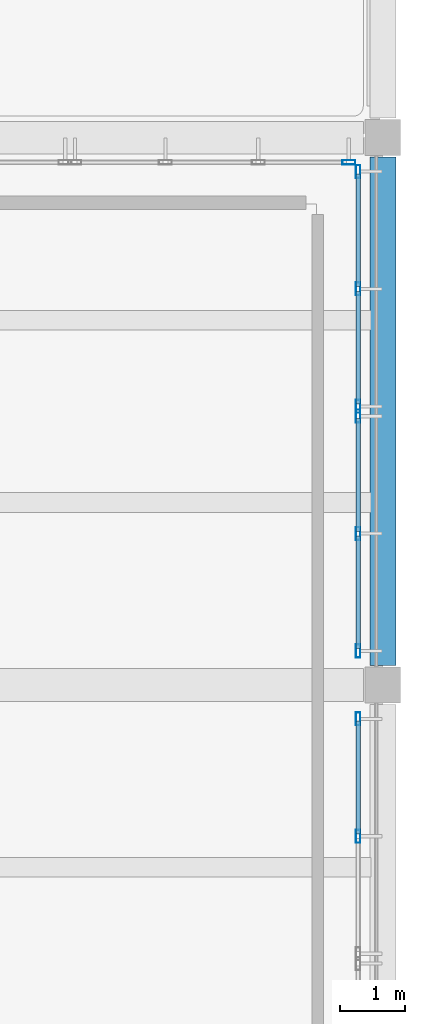
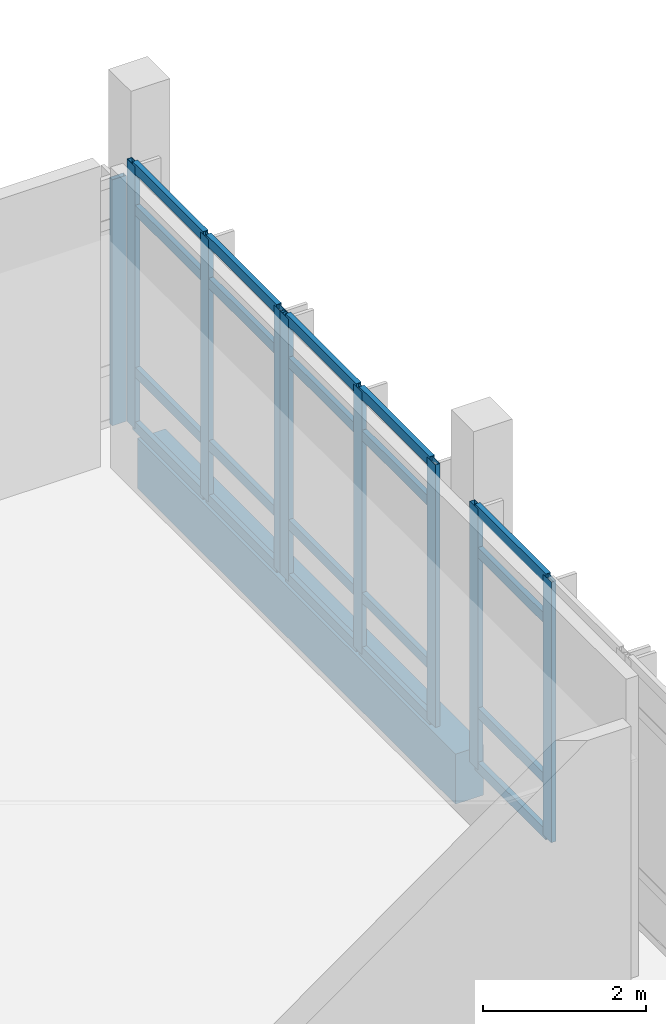
# One storey, part 30 of 63: 29 members, 1 beam, 4 elements without a shape of their own.
"""IFC4 building model written with IfcOpenShell, lengths in metres."""

from ifc_helpers import new_model, si_unit, derived_unit, direction, frame, origin, origin_2d, place, context, subcontext, project, spatial, rectangle, hollow_rectangle, extrude, material, layer, layer_set, material_profile, profile_set, type_object, element, aggregate, save


model = new_model("IFC4")

# Units and contexts
model_context = context("Model", 3, precision=1e-05, world=origin(), true_north=direction((0.0, 1.0)))
body_context = subcontext(model_context, "Body", "Model", "MODEL_VIEW")
ifc_project = project(units=[si_unit("LENGTHUNIT", "METRE"), si_unit("AREAUNIT", "SQUARE_METRE"), si_unit("VOLUMEUNIT", "CUBIC_METRE"), si_unit("PLANEANGLEUNIT", "RADIAN"), si_unit("MASSUNIT", "GRAM", prefix="KILO"), derived_unit("THERMALTRANSMITTANCEUNIT", [(si_unit("POWERUNIT", "WATT"), 1), (si_unit("LENGTHUNIT", "METRE"), -2), (si_unit("THERMODYNAMICTEMPERATUREUNIT", "KELVIN"), -1)])], contexts=[model_context])

# Site, building, storey
site_placement = place(None, origin())
site = spatial("IfcSite", under=ifc_project, at=site_placement, CompositionType="ELEMENT")
building_placement = place(site_placement, origin())
building = spatial("IfcBuilding", under=site, at=building_placement, Name="Elbkamm Science Centre", CompositionType="ELEMENT")
storey_placement = place(building_placement, frame((0.0, 0.0, 5.10009765625)))
storey = spatial("IfcBuildingStorey", under=building, at=storey_placement, Name="L01", CompositionType="ELEMENT", Elevation=5.10009765625)

# Beam
ifc_material_1 = material(Name="Concrete C40/50", Category="concrete")
ifc_material_profile_1 = material_profile(ifc_material_1, rectangle(XDim=0.39990234375, YDim=0.75, at=origin_2d()), Name="RC 400x750")
ifc_profile_set_1 = profile_set([ifc_material_profile_1], Name="Concrete C40/50")
beam_type = type_object("IfcBeamType", Name="BM-RC-400x750", PredefinedType="BEAM", material=ifc_profile_set_1)
beam_placement = place(storey_placement, frame((160.800048828125, 67.5, -0.775146484375), z_axis=(0.0, 1.0, 0.0), x_axis=(-1.0, 0.0, 0.0)))
element("IfcBeam", 1, at=beam_placement, inside=storey, type_object=beam_type, Name="L01 Primary Y-Girder 078", PredefinedType="BEAM", context=body_context, shape_type="SweptSolid", body=[
    extrude(rectangle(XDim=0.39990234375, YDim=0.75, at=origin_2d()), origin(), (0.0, 0.0, 1.0), 7.800048828125),
])

# Curtain wall, member
ifc_material_2 = material(Name="Powder-coated aluminium and triple low-E glazing", Category="aluminium")
ifc_layer_1 = layer(ifc_material_2, 0.159912109375)
ifc_layer_set_1 = layer_set([ifc_layer_1], Name="Powder-coated aluminium and triple low-E glazing")
curtain_wall_type_1 = type_object("IfcCurtainWallType", Name="CW-UNIT-4280x3680", PredefinedType="USERDEFINED", material=ifc_layer_set_1)
curtain_wall_1_placement = place(storey_placement, origin())
curtain_wall_1 = element("IfcCurtainWall", 2, at=curtain_wall_1_placement, inside=storey, type_object=curtain_wall_type_1, Name="L01 Unitised Curtain Wall 164", ObjectType="UNITISED CURTAIN WALL", PredefinedType="USERDEFINED")
ifc_material_3 = material(Name="Powder-coated aluminium EN AW-6060", Category="aluminium")
ifc_material_profile_2 = material_profile(ifc_material_3, hollow_rectangle(XDim=0.070068359375, YDim=0.199951171875, WallThickness=0.00439453125, at=origin_2d()), Name="ALU M70x200")
ifc_profile_set_2 = profile_set([ifc_material_profile_2], Name="Powder-coated aluminium EN AW-6060")
member_type_1 = type_object("IfcMemberType", Name="CW-MUL-70x200", PredefinedType="MULLION", material=ifc_profile_set_2)
member_1_placement = place(storey_placement, frame((160.27880859375, 75.219970703125, 0.0), z_axis=(0.0, 0.0, 1.0), x_axis=(0.0, 1.0, 0.0)))
member_1 = element("IfcMember", 3, at=member_1_placement, type_object=member_type_1, Name="CW-076 mullion 4", PredefinedType="MULLION", context=body_context, shape_type="SweptSolid", body=[
    extrude(hollow_rectangle(XDim=0.070068359375, YDim=0.199951171875, WallThickness=0.00439453125, at=origin_2d()), origin(), (0.0, 0.0, 1.0), 3.679931640625),
])
aggregate(curtain_wall_1, [member_1])

# Curtain wall, members
ifc_layer_2 = layer(ifc_material_2, 0.159912109375)
ifc_layer_set_2 = layer_set([ifc_layer_2], Name="Powder-coated aluminium and triple low-E glazing")
curtain_wall_type_2 = type_object("IfcCurtainWallType", Name="CW-UNIT-3680x3920", PredefinedType="USERDEFINED", material=ifc_layer_set_2)
curtain_wall_2_placement = place(storey_placement, origin())
curtain_wall_2 = element("IfcCurtainWall", 4, at=curtain_wall_2_placement, inside=storey, type_object=curtain_wall_type_2, Name="L01 Unitised Curtain Wall 165", ObjectType="UNITISED CURTAIN WALL", PredefinedType="USERDEFINED")
member_2_placement = place(storey_placement, frame((160.419921875, 75.07861328125, 0.0), z_axis=(0.0, 0.0, 1.0), x_axis=(1.0, 0.0, 0.0)))
member_2 = element("IfcMember", 5, at=member_2_placement, type_object=member_type_1, Name="CW-077 mullion 1", PredefinedType="MULLION", context=body_context, shape_type="SweptSolid", body=[
    extrude(hollow_rectangle(XDim=0.070068359375, YDim=0.199951171875, WallThickness=0.00439453125, at=origin_2d()), origin(), (0.0, 0.0, 1.0), 3.929931640625),
])
member_3_placement = place(storey_placement, frame((160.419921875, 73.27685546875, 0.0), z_axis=(0.0, 0.0, 1.0), x_axis=(1.0, 0.0, 0.0)))
member_3 = element("IfcMember", 6, at=member_3_placement, type_object=member_type_1, Name="CW-077 mullion 2", PredefinedType="MULLION", context=body_context, shape_type="SweptSolid", body=[
    extrude(hollow_rectangle(XDim=0.070068359375, YDim=0.199951171875, WallThickness=0.00439453125, at=origin_2d()), origin(), (0.0, 0.0, 1.0), 3.929931640625),
])
member_4_placement = place(storey_placement, frame((160.419921875, 71.47509765625, 0.0), z_axis=(0.0, 0.0, 1.0), x_axis=(1.0, 0.0, 0.0)))
member_4 = element("IfcMember", 7, at=member_4_placement, type_object=member_type_1, Name="CW-077 mullion 3", PredefinedType="MULLION", context=body_context, shape_type="SweptSolid", body=[
    extrude(hollow_rectangle(XDim=0.070068359375, YDim=0.199951171875, WallThickness=0.00439453125, at=origin_2d()), origin(), (0.0, 0.0, 1.0), 3.929931640625),
])

curtain_wall_3_placement = place(storey_placement, origin())
curtain_wall_3 = element("IfcCurtainWall", 8, at=curtain_wall_3_placement, inside=storey, type_object=curtain_wall_type_2, Name="L01 Unitised Curtain Wall 166", ObjectType="UNITISED CURTAIN WALL", PredefinedType="USERDEFINED")
member_5_placement = place(storey_placement, frame((160.419921875, 71.324951171875, 0.0), z_axis=(0.0, 0.0, 1.0), x_axis=(1.0, 0.0, 0.0)))
member_5 = element("IfcMember", 9, at=member_5_placement, type_object=member_type_1, Name="CW-077 mullion 1", PredefinedType="MULLION", context=body_context, shape_type="SweptSolid", body=[
    extrude(hollow_rectangle(XDim=0.070068359375, YDim=0.199951171875, WallThickness=0.00439453125, at=origin_2d()), origin(), (0.0, 0.0, 1.0), 3.929931640625),
])
member_6_placement = place(storey_placement, frame((160.419921875, 69.523193359375, 0.0), z_axis=(0.0, 0.0, 1.0), x_axis=(1.0, 0.0, 0.0)))
member_6 = element("IfcMember", 10, at=member_6_placement, type_object=member_type_1, Name="CW-077 mullion 2", PredefinedType="MULLION", context=body_context, shape_type="SweptSolid", body=[
    extrude(hollow_rectangle(XDim=0.070068359375, YDim=0.199951171875, WallThickness=0.00439453125, at=origin_2d()), origin(), (0.0, 0.0, 1.0), 3.929931640625),
])
member_7_placement = place(storey_placement, frame((160.419921875, 67.72119140625, 0.0), z_axis=(0.0, 0.0, 1.0), x_axis=(1.0, 0.0, 0.0)))
member_7 = element("IfcMember", 11, at=member_7_placement, type_object=member_type_1, Name="CW-077 mullion 3", PredefinedType="MULLION", context=body_context, shape_type="SweptSolid", body=[
    extrude(hollow_rectangle(XDim=0.070068359375, YDim=0.199951171875, WallThickness=0.00439453125, at=origin_2d()), origin(), (0.0, 0.0, 1.0), 3.929931640625),
])

ifc_layer_3 = layer(ifc_material_2, 0.159912109375)
ifc_layer_set_3 = layer_set([ifc_layer_3], Name="Powder-coated aluminium and triple low-E glazing")
curtain_wall_type_3 = type_object("IfcCurtainWallType", Name="CW-UNIT-3680x3900", PredefinedType="USERDEFINED", material=ifc_layer_set_3)
curtain_wall_4_placement = place(storey_placement, origin())
curtain_wall_4 = element("IfcCurtainWall", 12, at=curtain_wall_4_placement, inside=storey, type_object=curtain_wall_type_3, Name="L01 Unitised Curtain Wall 167", ObjectType="UNITISED CURTAIN WALL", PredefinedType="USERDEFINED")
member_8_placement = place(storey_placement, frame((160.419921875, 66.6787109375, 0.0), z_axis=(0.0, 0.0, 1.0), x_axis=(1.0, 0.0, 0.0)))
member_8 = element("IfcMember", 13, at=member_8_placement, type_object=member_type_1, Name="CW-066 mullion 1", PredefinedType="MULLION", context=body_context, shape_type="SweptSolid", body=[
    extrude(hollow_rectangle(XDim=0.070068359375, YDim=0.199951171875, WallThickness=0.00439453125, at=origin_2d()), origin(), (0.0, 0.0, 1.0), 3.89990234375),
])
member_9_placement = place(storey_placement, frame((160.419921875, 64.876953125, 0.0), z_axis=(0.0, 0.0, 1.0), x_axis=(1.0, 0.0, 0.0)))
member_9 = element("IfcMember", 14, at=member_9_placement, type_object=member_type_1, Name="CW-066 mullion 2", PredefinedType="MULLION", context=body_context, shape_type="SweptSolid", body=[
    extrude(hollow_rectangle(XDim=0.070068359375, YDim=0.199951171875, WallThickness=0.00439453125, at=origin_2d()), origin(), (0.0, 0.0, 1.0), 3.89990234375),
])

# Member
ifc_material_profile_3 = material_profile(ifc_material_3, hollow_rectangle(XDim=0.070068359375, YDim=0.14990234375, WallThickness=0.00390625, at=origin_2d()), Name="ALU T70x150")
ifc_profile_set_3 = profile_set([ifc_material_profile_3], Name="Powder-coated aluminium EN AW-6060")
member_type_2 = type_object("IfcMemberType", Name="CW-TRN-70x150", PredefinedType="USERDEFINED", material=ifc_profile_set_3)
member_10_placement = place(storey_placement, frame((160.419921875, 75.043701171875, 0.034912109375), z_axis=(0.0, -1.0, 0.0), x_axis=(1.0, 0.0, 0.0)))
member_10 = element("IfcMember", 15, at=member_10_placement, type_object=member_type_2, Name="CW-077 transom 1.1", ObjectType="TRANSOM", PredefinedType="USERDEFINED", context=body_context, shape_type="SweptSolid", body=[
    extrude(hollow_rectangle(XDim=0.070068359375, YDim=0.14990234375, WallThickness=0.00390625, at=origin_2d()), origin(), (0.0, 0.0, 1.0), 1.73193359375),
])

member_11_placement = place(storey_placement, frame((160.419921875, 75.043701171875, 0.849853515625), z_axis=(0.0, -1.0, 0.0), x_axis=(1.0, 0.0, 0.0)))
member_11 = element("IfcMember", 16, at=member_11_placement, type_object=member_type_2, Name="CW-077 transom 1.2", ObjectType="TRANSOM", PredefinedType="USERDEFINED", context=body_context, shape_type="SweptSolid", body=[
    extrude(hollow_rectangle(XDim=0.070068359375, YDim=0.14990234375, WallThickness=0.00390625, at=origin_2d()), origin(), (0.0, 0.0, 1.0), 1.73193359375),
])

member_12_placement = place(storey_placement, frame((160.419921875, 75.043701171875, 3.27978515625), z_axis=(0.0, -1.0, 0.0), x_axis=(1.0, 0.0, 0.0)))
member_12 = element("IfcMember", 17, at=member_12_placement, type_object=member_type_2, Name="CW-077 transom 1.3", ObjectType="TRANSOM", PredefinedType="USERDEFINED", context=body_context, shape_type="SweptSolid", body=[
    extrude(hollow_rectangle(XDim=0.070068359375, YDim=0.14990234375, WallThickness=0.00390625, at=origin_2d()), origin(), (0.0, 0.0, 1.0), 1.73193359375),
])

member_13_placement = place(storey_placement, frame((160.419921875, 75.043701171875, 3.89501953125), z_axis=(0.0, -1.0, 0.0), x_axis=(1.0, 0.0, 0.0)))
member_13 = element("IfcMember", 18, at=member_13_placement, type_object=member_type_2, Name="CW-077 transom 1.4", ObjectType="TRANSOM", PredefinedType="USERDEFINED", context=body_context, shape_type="SweptSolid", body=[
    extrude(hollow_rectangle(XDim=0.070068359375, YDim=0.14990234375, WallThickness=0.00390625, at=origin_2d()), origin(), (0.0, 0.0, 1.0), 1.73193359375),
])

member_14_placement = place(storey_placement, frame((160.419921875, 73.241943359375, 0.034912109375), z_axis=(0.0, -1.0, 0.0), x_axis=(1.0, 0.0, 0.0)))
member_14 = element("IfcMember", 19, at=member_14_placement, type_object=member_type_2, Name="CW-077 transom 2.1", ObjectType="TRANSOM", PredefinedType="USERDEFINED", context=body_context, shape_type="SweptSolid", body=[
    extrude(hollow_rectangle(XDim=0.070068359375, YDim=0.14990234375, WallThickness=0.00390625, at=origin_2d()), origin(), (0.0, 0.0, 1.0), 1.73193359375),
])

member_15_placement = place(storey_placement, frame((160.419921875, 73.241943359375, 0.849853515625), z_axis=(0.0, -1.0, 0.0), x_axis=(1.0, 0.0, 0.0)))
member_15 = element("IfcMember", 20, at=member_15_placement, type_object=member_type_2, Name="CW-077 transom 2.2", ObjectType="TRANSOM", PredefinedType="USERDEFINED", context=body_context, shape_type="SweptSolid", body=[
    extrude(hollow_rectangle(XDim=0.070068359375, YDim=0.14990234375, WallThickness=0.00390625, at=origin_2d()), origin(), (0.0, 0.0, 1.0), 1.73193359375),
])

member_16_placement = place(storey_placement, frame((160.419921875, 73.241943359375, 3.27978515625), z_axis=(0.0, -1.0, 0.0), x_axis=(1.0, 0.0, 0.0)))
member_16 = element("IfcMember", 21, at=member_16_placement, type_object=member_type_2, Name="CW-077 transom 2.3", ObjectType="TRANSOM", PredefinedType="USERDEFINED", context=body_context, shape_type="SweptSolid", body=[
    extrude(hollow_rectangle(XDim=0.070068359375, YDim=0.14990234375, WallThickness=0.00390625, at=origin_2d()), origin(), (0.0, 0.0, 1.0), 1.73193359375),
])

member_17_placement = place(storey_placement, frame((160.419921875, 73.241943359375, 3.89501953125), z_axis=(0.0, -1.0, 0.0), x_axis=(1.0, 0.0, 0.0)))
member_17 = element("IfcMember", 22, at=member_17_placement, type_object=member_type_2, Name="CW-077 transom 2.4", ObjectType="TRANSOM", PredefinedType="USERDEFINED", context=body_context, shape_type="SweptSolid", body=[
    extrude(hollow_rectangle(XDim=0.070068359375, YDim=0.14990234375, WallThickness=0.00390625, at=origin_2d()), origin(), (0.0, 0.0, 1.0), 1.73193359375),
])

aggregate(curtain_wall_2, [member_2, member_3, member_4, member_10, member_11, member_12, member_13, member_14, member_15, member_16, member_17])

member_18_placement = place(storey_placement, frame((160.419921875, 71.2900390625, 0.034912109375), z_axis=(0.0, -1.0, 0.0), x_axis=(1.0, 0.0, 0.0)))
member_18 = element("IfcMember", 23, at=member_18_placement, type_object=member_type_2, Name="CW-077 transom 1.1", ObjectType="TRANSOM", PredefinedType="USERDEFINED", context=body_context, shape_type="SweptSolid", body=[
    extrude(hollow_rectangle(XDim=0.070068359375, YDim=0.14990234375, WallThickness=0.00390625, at=origin_2d()), origin(), (0.0, 0.0, 1.0), 1.73193359375),
])

member_19_placement = place(storey_placement, frame((160.419921875, 71.2900390625, 0.849853515625), z_axis=(0.0, -1.0, 0.0), x_axis=(1.0, 0.0, 0.0)))
member_19 = element("IfcMember", 24, at=member_19_placement, type_object=member_type_2, Name="CW-077 transom 1.2", ObjectType="TRANSOM", PredefinedType="USERDEFINED", context=body_context, shape_type="SweptSolid", body=[
    extrude(hollow_rectangle(XDim=0.070068359375, YDim=0.14990234375, WallThickness=0.00390625, at=origin_2d()), origin(), (0.0, 0.0, 1.0), 1.73193359375),
])

member_20_placement = place(storey_placement, frame((160.419921875, 71.2900390625, 3.27978515625), z_axis=(0.0, -1.0, 0.0), x_axis=(1.0, 0.0, 0.0)))
member_20 = element("IfcMember", 25, at=member_20_placement, type_object=member_type_2, Name="CW-077 transom 1.3", ObjectType="TRANSOM", PredefinedType="USERDEFINED", context=body_context, shape_type="SweptSolid", body=[
    extrude(hollow_rectangle(XDim=0.070068359375, YDim=0.14990234375, WallThickness=0.00390625, at=origin_2d()), origin(), (0.0, 0.0, 1.0), 1.73193359375),
])

member_21_placement = place(storey_placement, frame((160.419921875, 71.2900390625, 3.89501953125), z_axis=(0.0, -1.0, 0.0), x_axis=(1.0, 0.0, 0.0)))
member_21 = element("IfcMember", 26, at=member_21_placement, type_object=member_type_2, Name="CW-077 transom 1.4", ObjectType="TRANSOM", PredefinedType="USERDEFINED", context=body_context, shape_type="SweptSolid", body=[
    extrude(hollow_rectangle(XDim=0.070068359375, YDim=0.14990234375, WallThickness=0.00390625, at=origin_2d()), origin(), (0.0, 0.0, 1.0), 1.73193359375),
])

member_22_placement = place(storey_placement, frame((160.419921875, 69.488037109375, 0.034912109375), z_axis=(0.0, -1.0, 0.0), x_axis=(1.0, 0.0, 0.0)))
member_22 = element("IfcMember", 27, at=member_22_placement, type_object=member_type_2, Name="CW-077 transom 2.1", ObjectType="TRANSOM", PredefinedType="USERDEFINED", context=body_context, shape_type="SweptSolid", body=[
    extrude(hollow_rectangle(XDim=0.070068359375, YDim=0.14990234375, WallThickness=0.00390625, at=origin_2d()), origin(), (0.0, 0.0, 1.0), 1.731689453125),
])

member_23_placement = place(storey_placement, frame((160.419921875, 69.488037109375, 0.849853515625), z_axis=(0.0, -1.0, 0.0), x_axis=(1.0, 0.0, 0.0)))
member_23 = element("IfcMember", 28, at=member_23_placement, type_object=member_type_2, Name="CW-077 transom 2.2", ObjectType="TRANSOM", PredefinedType="USERDEFINED", context=body_context, shape_type="SweptSolid", body=[
    extrude(hollow_rectangle(XDim=0.070068359375, YDim=0.14990234375, WallThickness=0.00390625, at=origin_2d()), origin(), (0.0, 0.0, 1.0), 1.731689453125),
])

member_24_placement = place(storey_placement, frame((160.419921875, 69.488037109375, 3.27978515625), z_axis=(0.0, -1.0, 0.0), x_axis=(1.0, 0.0, 0.0)))
member_24 = element("IfcMember", 29, at=member_24_placement, type_object=member_type_2, Name="CW-077 transom 2.3", ObjectType="TRANSOM", PredefinedType="USERDEFINED", context=body_context, shape_type="SweptSolid", body=[
    extrude(hollow_rectangle(XDim=0.070068359375, YDim=0.14990234375, WallThickness=0.00390625, at=origin_2d()), origin(), (0.0, 0.0, 1.0), 1.731689453125),
])

member_25_placement = place(storey_placement, frame((160.419921875, 69.488037109375, 3.89501953125), z_axis=(0.0, -1.0, 0.0), x_axis=(1.0, 0.0, 0.0)))
member_25 = element("IfcMember", 30, at=member_25_placement, type_object=member_type_2, Name="CW-077 transom 2.4", ObjectType="TRANSOM", PredefinedType="USERDEFINED", context=body_context, shape_type="SweptSolid", body=[
    extrude(hollow_rectangle(XDim=0.070068359375, YDim=0.14990234375, WallThickness=0.00390625, at=origin_2d()), origin(), (0.0, 0.0, 1.0), 1.731689453125),
])

aggregate(curtain_wall_3, [member_5, member_6, member_7, member_18, member_19, member_20, member_21, member_22, member_23, member_24, member_25])

member_26_placement = place(storey_placement, frame((160.419921875, 66.643798828125, 0.034912109375), z_axis=(0.0, -1.0, 0.0), x_axis=(1.0, 0.0, 0.0)))
member_26 = element("IfcMember", 31, at=member_26_placement, type_object=member_type_2, Name="CW-066 transom 1.1", ObjectType="TRANSOM", PredefinedType="USERDEFINED", context=body_context, shape_type="SweptSolid", body=[
    extrude(hollow_rectangle(XDim=0.070068359375, YDim=0.14990234375, WallThickness=0.00390625, at=origin_2d()), origin(), (0.0, 0.0, 1.0), 1.73193359375),
])

member_27_placement = place(storey_placement, frame((160.419921875, 66.643798828125, 0.849853515625), z_axis=(0.0, -1.0, 0.0), x_axis=(1.0, 0.0, 0.0)))
member_27 = element("IfcMember", 32, at=member_27_placement, type_object=member_type_2, Name="CW-066 transom 1.2", ObjectType="TRANSOM", PredefinedType="USERDEFINED", context=body_context, shape_type="SweptSolid", body=[
    extrude(hollow_rectangle(XDim=0.070068359375, YDim=0.14990234375, WallThickness=0.00390625, at=origin_2d()), origin(), (0.0, 0.0, 1.0), 1.73193359375),
])

member_28_placement = place(storey_placement, frame((160.419921875, 66.643798828125, 3.25), z_axis=(0.0, -1.0, 0.0), x_axis=(1.0, 0.0, 0.0)))
member_28 = element("IfcMember", 33, at=member_28_placement, type_object=member_type_2, Name="CW-066 transom 1.3", ObjectType="TRANSOM", PredefinedType="USERDEFINED", context=body_context, shape_type="SweptSolid", body=[
    extrude(hollow_rectangle(XDim=0.070068359375, YDim=0.14990234375, WallThickness=0.00390625, at=origin_2d()), origin(), (0.0, 0.0, 1.0), 1.73193359375),
])

member_29_placement = place(storey_placement, frame((160.419921875, 66.643798828125, 3.864990234375), z_axis=(0.0, -1.0, 0.0), x_axis=(1.0, 0.0, 0.0)))
member_29 = element("IfcMember", 34, at=member_29_placement, type_object=member_type_2, Name="CW-066 transom 1.4", ObjectType="TRANSOM", PredefinedType="USERDEFINED", context=body_context, shape_type="SweptSolid", body=[
    extrude(hollow_rectangle(XDim=0.070068359375, YDim=0.14990234375, WallThickness=0.00390625, at=origin_2d()), origin(), (0.0, 0.0, 1.0), 1.73193359375),
])

aggregate(curtain_wall_4, [member_8, member_9, member_26, member_27, member_28, member_29])

save(model, "model.ifc")
